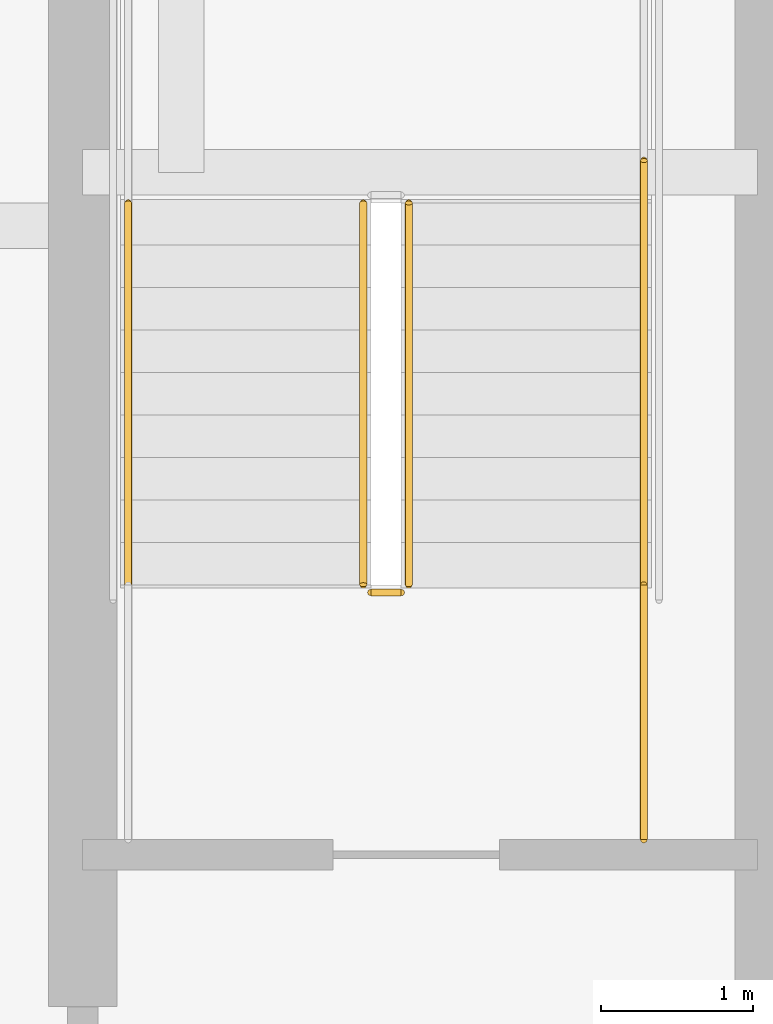
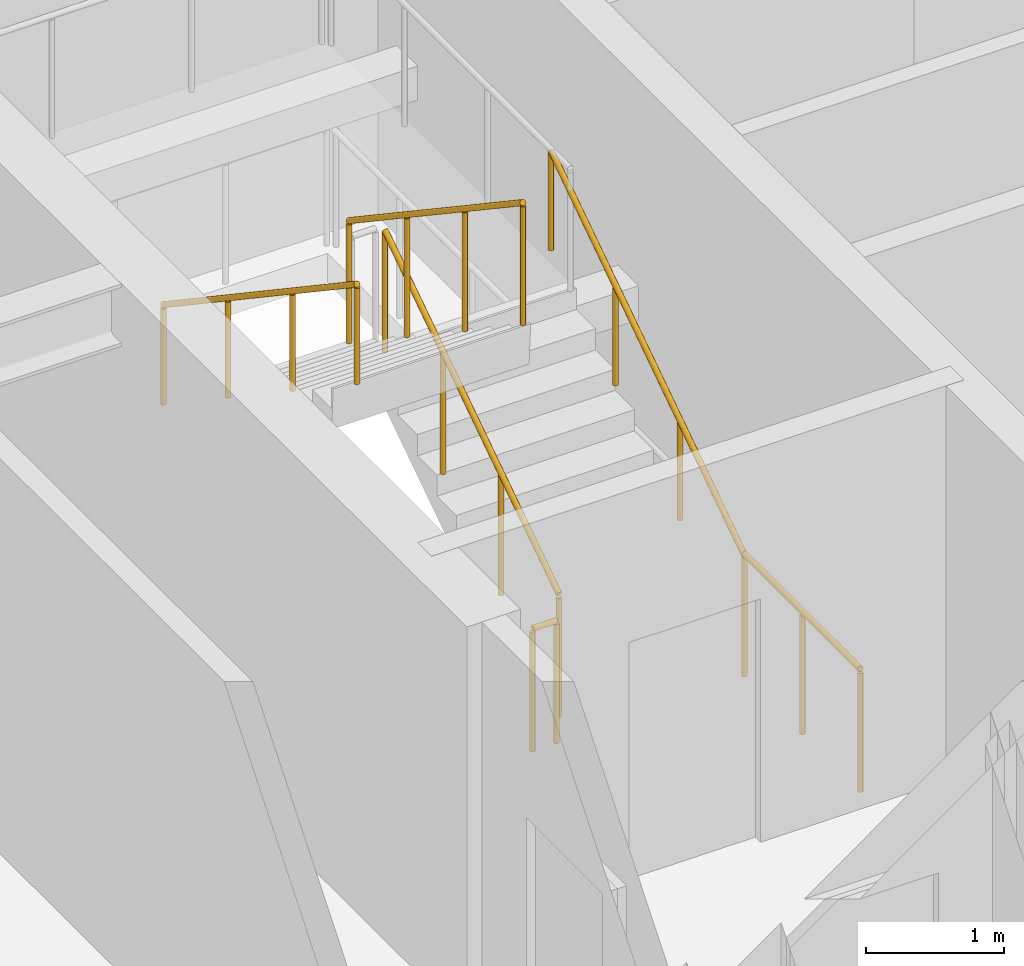
# One storey, part 36 of 41: 6 railings.
"""IFC4 building model written with IfcOpenShell, lengths in metres."""

from ifc_helpers import new_model, si_unit, direction, frame, origin, origin_2d, place, context, subcontext, project, spatial, circle, extrude, material, type_object, element, save


model = new_model("IFC4")

# Units and contexts
model_context = context("Model", 3, precision=1e-05, world=origin(), true_north=direction((0.0, 1.0)))
body_context = subcontext(model_context, "Body", "Model", "MODEL_VIEW")
ifc_project = project(units=[si_unit("LENGTHUNIT", "METRE"), si_unit("AREAUNIT", "SQUARE_METRE"), si_unit("VOLUMEUNIT", "CUBIC_METRE"), si_unit("PLANEANGLEUNIT", "RADIAN"), si_unit("MASSUNIT", "GRAM", prefix="KILO")], contexts=[model_context])

# Site, building, storey
site_placement = place(None, origin())
site = spatial("IfcSite", under=ifc_project, at=site_placement, CompositionType="ELEMENT")
building_placement = place(site_placement, origin())
building = spatial("IfcBuilding", under=site, at=building_placement, Name="Serunith Strait Residences", CompositionType="ELEMENT")
storey_placement = place(building_placement, frame((0.0, 0.0, 75.449951171875)))
storey = spatial("IfcBuildingStorey", under=building, at=storey_placement, Name="L18", CompositionType="ELEMENT", Elevation=75.449951171875)

# Railings
ifc_material = material(Name="Brushed stainless steel 316L", Category="steel")
railing_type_1 = type_object("IfcRailingType", Name="RLG-STAIR-GUARD", PredefinedType="BALUSTRADE", material=ifc_material)
railing_1_placement = place(storey_placement, frame((25.550048828125, 27.030029296875, 0.1875)))
element("IfcRailing", 1, at=railing_1_placement, inside=storey, type_object=railing_type_1, Name="L18 ST-1 stair guard 1", PredefinedType="BALUSTRADE", context=body_context, shape_type="SweptSolid", body=[
    extrude(circle(Radius=0.02392578125, at=origin_2d()), frame((0.0, 0.001708984375, 1.0771484375), z_axis=(0.0, 0.830909170722, 0.55640807867), x_axis=(-1.0, 0.0, 0.0)), (0.0, 0.0, 1.0), 3.02880859375),
    extrude(circle(Radius=0.02099609375, at=origin_2d()), origin(), (0.0, 0.0, 1.0), 1.050048828125),
    extrude(circle(Radius=0.02099609375, at=origin_2d()), frame((0.0, 0.840087890625, 0.5625)), (0.0, 0.0, 1.0), 1.050048828125),
    extrude(circle(Radius=0.02099609375, at=origin_2d()), frame((0.0, 1.679931640625, 1.125)), (0.0, 0.0, 1.0), 1.050048828125),
    extrude(circle(Radius=0.02099609375, at=origin_2d()), frame((0.0, 2.52001953125, 1.6875)), (0.0, 0.0, 1.0), 1.050048828125),
])
railing_2_placement = place(storey_placement, frame((25.25, 29.550048828125, 2.0625)))
element("IfcRailing", 2, at=railing_2_placement, inside=storey, type_object=railing_type_1, Name="L18 ST-1 stair guard 6", PredefinedType="BALUSTRADE", context=body_context, shape_type="SweptSolid", body=[
    extrude(circle(Radius=0.02392578125, at=origin_2d()), frame((0.0, -0.001708984375, 1.0771484375), z_axis=(0.0, -0.830909170722, 0.55640807867), x_axis=(1.0, 0.0, 0.0)), (0.0, 0.0, 1.0), 3.02880859375),
    extrude(circle(Radius=0.02099609375, at=origin_2d()), origin(), (0.0, 0.0, 1.0), 1.050048828125),
    extrude(circle(Radius=0.02099609375, at=origin_2d()), frame((0.0, -0.840087890625, 0.5625)), (0.0, 0.0, 1.0), 1.050048828125),
    extrude(circle(Radius=0.02099609375, at=origin_2d()), frame((0.0, -1.679931640625, 1.125)), (0.0, 0.0, 1.0), 1.050048828125),
    extrude(circle(Radius=0.02099609375, at=origin_2d()), frame((0.0, -2.52001953125, 1.6875)), (0.0, 0.0, 1.0), 1.050048828125),
])
railing_3_placement = place(storey_placement, frame((25.5, 26.97998046875, 0.0)))
element("IfcRailing", 3, at=railing_3_placement, inside=storey, type_object=railing_type_1, Name="L18 ST-1 stair guard 7", PredefinedType="BALUSTRADE", context=body_context, shape_type="SweptSolid", body=[
    extrude(circle(Radius=0.02392578125, at=origin_2d()), frame((-0.001953125, 0.0, 1.076171875), z_axis=(-1.0, 0.0, 0.0), x_axis=(0.0, -1.0, 0.0)), (0.0, 0.0, 1.0), 0.196044921875),
    extrude(circle(Radius=0.02099609375, at=origin_2d()), origin(), (0.0, 0.0, 1.0), 1.050048828125),
    extrude(circle(Radius=0.02099609375, at=origin_2d()), frame((-0.199951171875, 0.0, 0.0)), (0.0, 0.0, 1.0), 1.050048828125),
])
railing_4_placement = place(storey_placement, frame((27.10009765625, 25.35009765625, 0.0)))
element("IfcRailing", 4, at=railing_4_placement, inside=storey, type_object=railing_type_1, Name="L18 ST-1 stair guard 8", PredefinedType="BALUSTRADE", context=body_context, shape_type="SweptSolid", body=[
    extrude(circle(Radius=0.02392578125, at=origin_2d()), frame((0.0, 0.001953125, 1.076171875), z_axis=(0.0, 1.0, 0.0), x_axis=(-1.0, 0.0, 0.0)), (0.0, 0.0, 1.0), 1.676025390625),
    extrude(circle(Radius=0.02099609375, at=origin_2d()), origin(), (0.0, 0.0, 1.0), 1.050048828125),
    extrude(circle(Radius=0.02099609375, at=origin_2d()), frame((0.0, 0.83984375, 0.0)), (0.0, 0.0, 1.0), 1.050048828125),
    extrude(circle(Radius=0.02099609375, at=origin_2d()), frame((0.0, 1.679931640625, 0.0)), (0.0, 0.0, 1.0), 1.050048828125),
])
railing_type_2 = type_object("IfcRailingType", Name="RLG-STAIR-HR", PredefinedType="HANDRAIL", material=ifc_material)
railing_5_placement = place(storey_placement, frame((27.10009765625, 27.030029296875, 0.1875)))
element("IfcRailing", 5, at=railing_5_placement, inside=storey, type_object=railing_type_2, Name="L18 ST-1 stair handrail 1", PredefinedType="HANDRAIL", context=body_context, shape_type="SweptSolid", body=[
    extrude(circle(Radius=0.02392578125, at=origin_2d()), frame((0.0, 0.001708984375, 0.876953125), z_axis=(0.0, 0.830208209119, 0.557453432594), x_axis=(-1.0, 0.0, 0.0)), (0.0, 0.0, 1.0), 3.36865234375),
    extrude(circle(Radius=0.02099609375, at=origin_2d()), origin(), (0.0, 0.0, 1.0), 0.849853515625),
    extrude(circle(Radius=0.02099609375, at=origin_2d()), frame((0.0, 0.933349609375, 0.626708984375)), (0.0, 0.0, 1.0), 0.849853515625),
    extrude(circle(Radius=0.02099609375, at=origin_2d()), frame((0.0, 1.86669921875, 1.25341796875)), (0.0, 0.0, 1.0), 0.849853515625),
    extrude(circle(Radius=0.02099609375, at=origin_2d()), frame((0.0, 2.800048828125, 1.880126953125)), (0.0, 0.0, 1.0), 0.849853515625),
])
railing_6_placement = place(storey_placement, frame((23.699951171875, 29.550048828125, 2.0625)))
element("IfcRailing", 6, at=railing_6_placement, inside=storey, type_object=railing_type_2, Name="L18 ST-1 stair handrail 2", PredefinedType="HANDRAIL", context=body_context, shape_type="SweptSolid", body=[
    extrude(circle(Radius=0.02392578125, at=origin_2d()), frame((0.0, -0.001708984375, 0.876953125), z_axis=(0.0, -0.830208209119, 0.557453432594), x_axis=(1.0, 0.0, 0.0)), (0.0, 0.0, 1.0), 3.36865234375),
    extrude(circle(Radius=0.02099609375, at=origin_2d()), origin(), (0.0, 0.0, 1.0), 0.849853515625),
    extrude(circle(Radius=0.02099609375, at=origin_2d()), frame((0.0, -0.933349609375, 0.626708984375)), (0.0, 0.0, 1.0), 0.849853515625),
    extrude(circle(Radius=0.02099609375, at=origin_2d()), frame((0.0, -1.86669921875, 1.25341796875)), (0.0, 0.0, 1.0), 0.849853515625),
    extrude(circle(Radius=0.02099609375, at=origin_2d()), frame((0.0, -2.800048828125, 1.880126953125)), (0.0, 0.0, 1.0), 0.849853515625),
])

save(model, "model.ifc")
